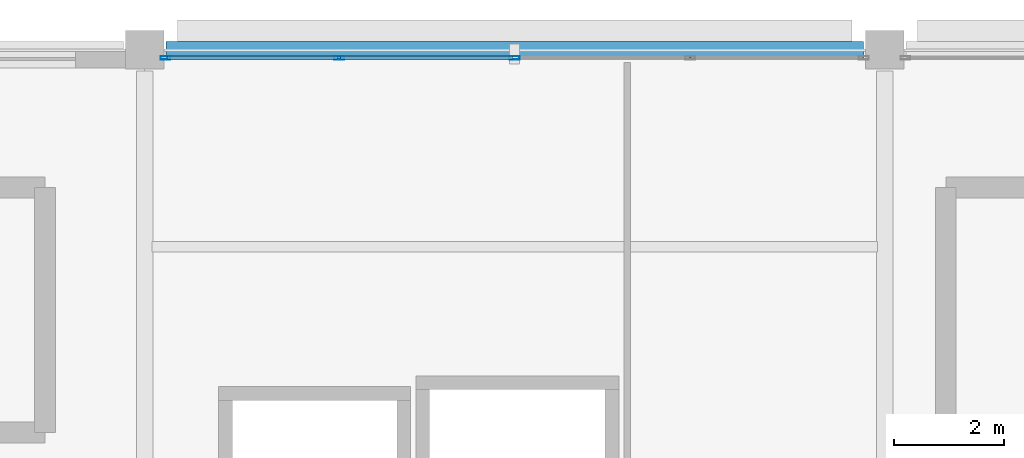
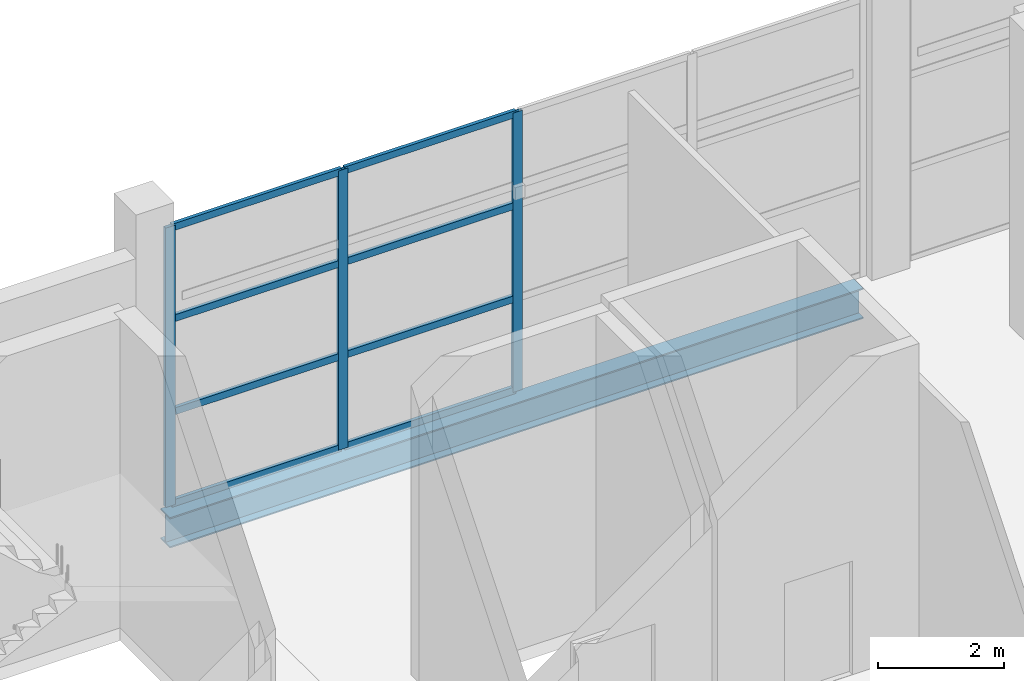
# One storey, part 142 of 191: 11 members, 1 beam, 1 element without a shape of its own.
"""IFC4 building model written with IfcOpenShell, lengths in metres."""

from ifc_helpers import new_model, si_unit, direction, frame, origin, origin_2d, place, context, subcontext, project, spatial, hollow_rectangle, i_section, extrude, material, layer, layer_set, material_profile, profile_set, type_object, element, aggregate, save


model = new_model("IFC4")

# Units and contexts
model_context = context("Model", 3, precision=1e-05, world=origin(), true_north=direction((0.0, 1.0)))
body_context = subcontext(model_context, "Body", "Model", "MODEL_VIEW")
ifc_project = project(units=[si_unit("LENGTHUNIT", "METRE"), si_unit("AREAUNIT", "SQUARE_METRE"), si_unit("VOLUMEUNIT", "CUBIC_METRE"), si_unit("PLANEANGLEUNIT", "RADIAN"), si_unit("MASSUNIT", "GRAM", prefix="KILO")], contexts=[model_context])

# Site, building, storey
site_placement = place(None, origin())
site = spatial("IfcSite", under=ifc_project, at=site_placement, CompositionType="ELEMENT")
building_placement = place(site_placement, origin())
building = spatial("IfcBuilding", under=site, at=building_placement, Name="Tamarisk Ironworks Central Station", CompositionType="ELEMENT")
storey_placement = place(building_placement, frame((0.0, 0.0, 6.60009765625)))
storey = spatial("IfcBuildingStorey", under=building, at=storey_placement, Name="L01", CompositionType="ELEMENT", Elevation=6.60009765625)

# Beam
ifc_material_1 = material(Name="Structural steel S355J2", Category="steel")
ifc_material_profile_1 = material_profile(ifc_material_1, i_section(OverallWidth=0.300048828125, OverallDepth=0.590087890625, WebThickness=0.012939453125, FlangeThickness=0.02490234375, at=origin_2d()), Name="HEA 600")
ifc_profile_set_1 = profile_set([ifc_material_profile_1], Name="Structural steel S355J2")
beam_type = type_object("IfcBeamType", Name="BM-G03", PredefinedType="BEAM", material=ifc_profile_set_1)
beam_placement = place(storey_placement, frame((153.387939453125, 122.39990234375, -0.545166015625), z_axis=(1.0, 0.0, 0.0), x_axis=(0.0, 1.0, 0.0)))
element("IfcBeam", 1, at=beam_placement, inside=storey, type_object=beam_type, Name="L01 primary girder X-0151", PredefinedType="BEAM", context=body_context, shape_type="SweptSolid", body=[
    extrude(i_section(OverallWidth=0.300048828125, OverallDepth=0.590087890625, WebThickness=0.012939453125, FlangeThickness=0.02490234375, at=origin_2d()), origin(), (0.0, 0.0, 1.0), 12.72412109375),
])

# Curtain wall, members
ifc_material_2 = material(Name="Anodized aluminium alloy 6063-T6", Category="aluminium")
ifc_layer = layer(ifc_material_2, 0.179931640625)
ifc_layer_set = layer_set([ifc_layer], Name="Anodized aluminium alloy 6063-T6")
curtain_wall_type = type_object("IfcCurtainWallType", Name="CW-16", PredefinedType="USERDEFINED", material=ifc_layer_set)
curtain_wall_placement = place(storey_placement, origin())
curtain_wall = element("IfcCurtainWall", 2, at=curtain_wall_placement, inside=storey, type_object=curtain_wall_type, Name="Operations L01 north facade curtain wall 153", ObjectType="GLAZED CURTAIN WALL", PredefinedType="USERDEFINED")
ifc_material_profile_2 = material_profile(ifc_material_2, hollow_rectangle(XDim=0.06494140625, YDim=0.179931640625, WallThickness=0.00390625, at=origin_2d()), Name="ALUM 180x65")
ifc_profile_set_2 = profile_set([ifc_material_profile_2], Name="Anodized aluminium alloy 6063-T6")
member_type_1 = type_object("IfcMemberType", Name="CWM-02", PredefinedType="MULLION", material=ifc_profile_set_2)
member_1_placement = place(storey_placement, frame((153.380615234375, 122.25, 0.0), z_axis=(0.0, 0.0, 1.0), x_axis=(0.0, 1.0, 0.0)))
member_1 = element("IfcMember", 3, at=member_1_placement, type_object=member_type_1, Name="CW16 mullion 1", PredefinedType="MULLION", context=body_context, shape_type="SweptSolid", body=[
    extrude(hollow_rectangle(XDim=0.06494140625, YDim=0.179931640625, WallThickness=0.00390625, at=origin_2d()), origin(), (0.0, 0.0, 1.0), 5.419921875),
])
member_2_placement = place(storey_placement, frame((156.549072265625, 122.25, 0.0), z_axis=(0.0, 0.0, 1.0), x_axis=(0.0, 1.0, 0.0)))
member_2 = element("IfcMember", 4, at=member_2_placement, type_object=member_type_1, Name="CW16 mullion 2", PredefinedType="MULLION", context=body_context, shape_type="SweptSolid", body=[
    extrude(hollow_rectangle(XDim=0.06494140625, YDim=0.179931640625, WallThickness=0.00390625, at=origin_2d()), origin(), (0.0, 0.0, 1.0), 5.419921875),
])
member_3_placement = place(storey_placement, frame((159.75, 122.25, 0.0), z_axis=(0.0, 0.0, 1.0), x_axis=(0.0, 1.0, 0.0)))
member_3 = element("IfcMember", 5, at=member_3_placement, type_object=member_type_1, Name="CW16 mullion 3", PredefinedType="MULLION", context=body_context, shape_type="SweptSolid", body=[
    extrude(hollow_rectangle(XDim=0.06494140625, YDim=0.179931640625, WallThickness=0.00390625, at=origin_2d()), origin(), (0.0, 0.0, 1.0), 5.419921875),
])
ifc_material_profile_3 = material_profile(ifc_material_2, hollow_rectangle(XDim=0.06494140625, YDim=0.135009765625, WallThickness=0.00341796875, at=origin_2d()), Name="ALUM 135x65")
ifc_profile_set_3 = profile_set([ifc_material_profile_3], Name="Anodized aluminium alloy 6063-T6")
member_type_2 = type_object("IfcMemberType", Name="CWT-02", PredefinedType="USERDEFINED", material=ifc_profile_set_3)
member_4_placement = place(storey_placement, frame((153.408935546875, 122.25, 0.032470703125), z_axis=(1.0, 0.0, 0.0), x_axis=(0.0, 1.0, 0.0)))
member_4 = element("IfcMember", 6, at=member_4_placement, type_object=member_type_2, Name="CW16 transom 1.1", ObjectType="TRANSOM", PredefinedType="USERDEFINED", context=body_context, shape_type="SweptSolid", body=[
    extrude(hollow_rectangle(XDim=0.06494140625, YDim=0.135009765625, WallThickness=0.00341796875, at=origin_2d()), origin(), (0.0, 0.0, 1.0), 3.111572265625),
])
member_5_placement = place(storey_placement, frame((153.408935546875, 122.25, 1.806640625), z_axis=(1.0, 0.0, 0.0), x_axis=(0.0, 1.0, 0.0)))
member_5 = element("IfcMember", 7, at=member_5_placement, type_object=member_type_2, Name="CW16 transom 1.2", ObjectType="TRANSOM", PredefinedType="USERDEFINED", context=body_context, shape_type="SweptSolid", body=[
    extrude(hollow_rectangle(XDim=0.06494140625, YDim=0.135009765625, WallThickness=0.00341796875, at=origin_2d()), origin(), (0.0, 0.0, 1.0), 3.111572265625),
])
member_6_placement = place(storey_placement, frame((153.408935546875, 122.25, 3.61328125), z_axis=(1.0, 0.0, 0.0), x_axis=(0.0, 1.0, 0.0)))
member_6 = element("IfcMember", 8, at=member_6_placement, type_object=member_type_2, Name="CW16 transom 1.3", ObjectType="TRANSOM", PredefinedType="USERDEFINED", context=body_context, shape_type="SweptSolid", body=[
    extrude(hollow_rectangle(XDim=0.06494140625, YDim=0.135009765625, WallThickness=0.00341796875, at=origin_2d()), origin(), (0.0, 0.0, 1.0), 3.111572265625),
])
member_7_placement = place(storey_placement, frame((153.408935546875, 122.25, 5.387451171875), z_axis=(1.0, 0.0, 0.0), x_axis=(0.0, 1.0, 0.0)))
member_7 = element("IfcMember", 9, at=member_7_placement, type_object=member_type_2, Name="CW16 transom 1.4", ObjectType="TRANSOM", PredefinedType="USERDEFINED", context=body_context, shape_type="SweptSolid", body=[
    extrude(hollow_rectangle(XDim=0.06494140625, YDim=0.135009765625, WallThickness=0.00341796875, at=origin_2d()), origin(), (0.0, 0.0, 1.0), 3.111572265625),
])
member_8_placement = place(storey_placement, frame((156.577392578125, 122.25, 0.032470703125), z_axis=(1.0, 0.0, 0.0), x_axis=(0.0, 1.0, 0.0)))
member_8 = element("IfcMember", 10, at=member_8_placement, type_object=member_type_2, Name="CW16 transom 2.1", ObjectType="TRANSOM", PredefinedType="USERDEFINED", context=body_context, shape_type="SweptSolid", body=[
    extrude(hollow_rectangle(XDim=0.06494140625, YDim=0.135009765625, WallThickness=0.00341796875, at=origin_2d()), origin(), (0.0, 0.0, 1.0), 3.14404296875),
])
member_9_placement = place(storey_placement, frame((156.577392578125, 122.25, 1.806640625), z_axis=(1.0, 0.0, 0.0), x_axis=(0.0, 1.0, 0.0)))
member_9 = element("IfcMember", 11, at=member_9_placement, type_object=member_type_2, Name="CW16 transom 2.2", ObjectType="TRANSOM", PredefinedType="USERDEFINED", context=body_context, shape_type="SweptSolid", body=[
    extrude(hollow_rectangle(XDim=0.06494140625, YDim=0.135009765625, WallThickness=0.00341796875, at=origin_2d()), origin(), (0.0, 0.0, 1.0), 3.14404296875),
])
member_10_placement = place(storey_placement, frame((156.577392578125, 122.25, 3.61328125), z_axis=(1.0, 0.0, 0.0), x_axis=(0.0, 1.0, 0.0)))
member_10 = element("IfcMember", 12, at=member_10_placement, type_object=member_type_2, Name="CW16 transom 2.3", ObjectType="TRANSOM", PredefinedType="USERDEFINED", context=body_context, shape_type="SweptSolid", body=[
    extrude(hollow_rectangle(XDim=0.06494140625, YDim=0.135009765625, WallThickness=0.00341796875, at=origin_2d()), origin(), (0.0, 0.0, 1.0), 3.14404296875),
])
member_11_placement = place(storey_placement, frame((156.577392578125, 122.25, 5.387451171875), z_axis=(1.0, 0.0, 0.0), x_axis=(0.0, 1.0, 0.0)))
member_11 = element("IfcMember", 13, at=member_11_placement, type_object=member_type_2, Name="CW16 transom 2.4", ObjectType="TRANSOM", PredefinedType="USERDEFINED", context=body_context, shape_type="SweptSolid", body=[
    extrude(hollow_rectangle(XDim=0.06494140625, YDim=0.135009765625, WallThickness=0.00341796875, at=origin_2d()), origin(), (0.0, 0.0, 1.0), 3.14404296875),
])
aggregate(curtain_wall, [member_1, member_2, member_3, member_4, member_5, member_6, member_7, member_8, member_9, member_10, member_11])

save(model, "model.ifc")
